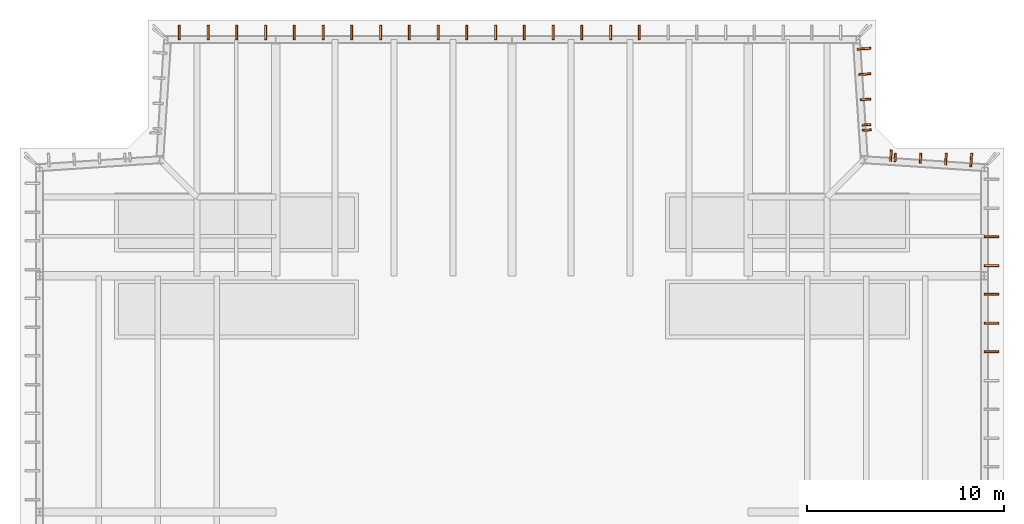
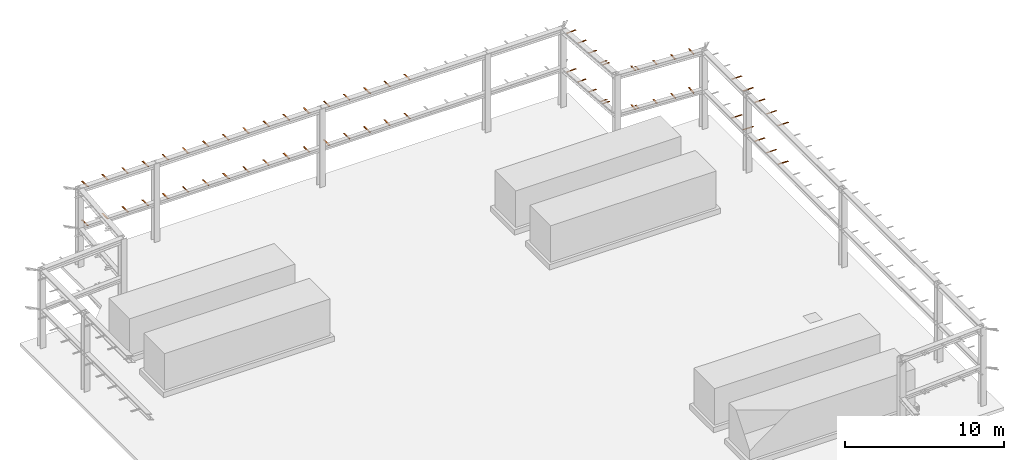
# One storey, part 7 of 8: 64 proxies.
"""IFC4 building model written with IfcOpenShell, lengths in metres."""

from ifc_helpers import new_model, si_unit, direction, frame, origin, origin_2d, place, context, subcontext, project, spatial, rectangle, extrude, material, material_profile, profile_set, type_object, element, save


model = new_model("IFC4")

# Units and contexts
model_context = context("Model", 3, precision=1e-05, world=origin(), true_north=direction((0.0, 1.0)))
body_context = subcontext(model_context, "Body", "Model", "MODEL_VIEW")
ifc_project = project(units=[si_unit("LENGTHUNIT", "METRE"), si_unit("AREAUNIT", "SQUARE_METRE"), si_unit("VOLUMEUNIT", "CUBIC_METRE"), si_unit("PLANEANGLEUNIT", "RADIAN"), si_unit("MASSUNIT", "GRAM", prefix="KILO")], contexts=[model_context])

# Site, building, storey
site_placement = place(None, origin())
site = spatial("IfcSite", under=ifc_project, at=site_placement, CompositionType="ELEMENT")
building_placement = place(site_placement, origin())
building = spatial("IfcBuilding", under=site, at=building_placement, Name="Fenwick Lantern Interchange", CompositionType="ELEMENT")
storey_placement = place(building_placement, frame((0.0, 0.0, 313.800048828125)))
storey = spatial("IfcBuildingStorey", under=building, at=storey_placement, Name="RF-A", CompositionType="ELEMENT", Elevation=313.800048828125)

# Proxies
ifc_material = material(Name="Steel ASTM A572 Grade 50", Category="steel")
ifc_material_profile = material_profile(ifc_material, rectangle(XDim=0.10009765625, YDim=0.011962890625, at=origin_2d()), Name="PL100X12")
ifc_profile_set = profile_set([ifc_material_profile], Name="Steel ASTM A572 Grade 50")
building_element_proxy_type = type_object("IfcBuildingElementProxyType", Name="LANTERN TIE BRACKET PL 100 X 12", PredefinedType="USERDEFINED", material=ifc_profile_set)
proxy_1_placement = place(storey_placement, frame((49.72509765625, 33.134521484375, 2.84619140625), z_axis=(-1.0, 0.0, 0.0), x_axis=(0.0, -1.0, 0.0)))
element("IfcBuildingElementProxy", 1, at=proxy_1_placement, inside=storey, type_object=building_element_proxy_type, Name="Lantern tie bracket", ObjectType="LANTERN TIE BRACKET", PredefinedType="USERDEFINED", context=body_context, shape_type="SweptSolid", body=[
    extrude(rectangle(XDim=0.10009765625, YDim=0.011962890625, at=origin_2d()), origin(), (0.0, 0.0, 1.0), 0.72021484375),
])
proxy_2_placement = place(storey_placement, frame((49.72509765625, 33.134521484375, 5.822265625), z_axis=(-1.0, 0.0, 0.0), x_axis=(0.0, -1.0, 0.0)))
element("IfcBuildingElementProxy", 2, at=proxy_2_placement, inside=storey, type_object=building_element_proxy_type, Name="Lantern tie bracket", ObjectType="LANTERN TIE BRACKET", PredefinedType="USERDEFINED", context=body_context, shape_type="SweptSolid", body=[
    extrude(rectangle(XDim=0.10009765625, YDim=0.011962890625, at=origin_2d()), origin(), (0.0, 0.0, 1.0), 0.719482421875),
])
proxy_3_placement = place(storey_placement, frame((49.72509765625, 34.59521484375, 2.84619140625), z_axis=(-1.0, 0.0, 0.0), x_axis=(0.0, -1.0, 0.0)))
element("IfcBuildingElementProxy", 3, at=proxy_3_placement, inside=storey, type_object=building_element_proxy_type, Name="Lantern tie bracket", ObjectType="LANTERN TIE BRACKET", PredefinedType="USERDEFINED", context=body_context, shape_type="SweptSolid", body=[
    extrude(rectangle(XDim=0.10009765625, YDim=0.011962890625, at=origin_2d()), origin(), (0.0, 0.0, 1.0), 0.72021484375),
])
proxy_4_placement = place(storey_placement, frame((49.72509765625, 34.59521484375, 5.822265625), z_axis=(-1.0, 0.0, 0.0), x_axis=(0.0, -1.0, 0.0)))
element("IfcBuildingElementProxy", 4, at=proxy_4_placement, inside=storey, type_object=building_element_proxy_type, Name="Lantern tie bracket", ObjectType="LANTERN TIE BRACKET", PredefinedType="USERDEFINED", context=body_context, shape_type="SweptSolid", body=[
    extrude(rectangle(XDim=0.10009765625, YDim=0.011962890625, at=origin_2d()), origin(), (0.0, 0.0, 1.0), 0.719482421875),
])
proxy_5_placement = place(storey_placement, frame((49.72509765625, 36.055908203125, 2.84619140625), z_axis=(-1.0, 0.0, 0.0), x_axis=(0.0, -1.0, 0.0)))
element("IfcBuildingElementProxy", 5, at=proxy_5_placement, inside=storey, type_object=building_element_proxy_type, Name="Lantern tie bracket", ObjectType="LANTERN TIE BRACKET", PredefinedType="USERDEFINED", context=body_context, shape_type="SweptSolid", body=[
    extrude(rectangle(XDim=0.10009765625, YDim=0.011962890625, at=origin_2d()), origin(), (0.0, 0.0, 1.0), 0.72021484375),
])
proxy_6_placement = place(storey_placement, frame((49.72509765625, 36.055908203125, 5.822265625), z_axis=(-1.0, 0.0, 0.0), x_axis=(0.0, -1.0, 0.0)))
element("IfcBuildingElementProxy", 6, at=proxy_6_placement, inside=storey, type_object=building_element_proxy_type, Name="Lantern tie bracket", ObjectType="LANTERN TIE BRACKET", PredefinedType="USERDEFINED", context=body_context, shape_type="SweptSolid", body=[
    extrude(rectangle(XDim=0.10009765625, YDim=0.011962890625, at=origin_2d()), origin(), (0.0, 0.0, 1.0), 0.719482421875),
])
proxy_7_placement = place(storey_placement, frame((49.72509765625, 37.516845703125, 2.84619140625), z_axis=(-1.0, 0.0, 0.0), x_axis=(0.0, -1.0, 0.0)))
element("IfcBuildingElementProxy", 7, at=proxy_7_placement, inside=storey, type_object=building_element_proxy_type, Name="Lantern tie bracket", ObjectType="LANTERN TIE BRACKET", PredefinedType="USERDEFINED", context=body_context, shape_type="SweptSolid", body=[
    extrude(rectangle(XDim=0.10009765625, YDim=0.011962890625, at=origin_2d()), origin(), (0.0, 0.0, 1.0), 0.72021484375),
])
proxy_8_placement = place(storey_placement, frame((49.72509765625, 37.516845703125, 5.822265625), z_axis=(-1.0, 0.0, 0.0), x_axis=(0.0, -1.0, 0.0)))
element("IfcBuildingElementProxy", 8, at=proxy_8_placement, inside=storey, type_object=building_element_proxy_type, Name="Lantern tie bracket", ObjectType="LANTERN TIE BRACKET", PredefinedType="USERDEFINED", context=body_context, shape_type="SweptSolid", body=[
    extrude(rectangle(XDim=0.10009765625, YDim=0.011962890625, at=origin_2d()), origin(), (0.0, 0.0, 1.0), 0.719482421875),
])
proxy_9_placement = place(storey_placement, frame((49.72509765625, 38.9775390625, 2.84619140625), z_axis=(-1.0, 0.0, 0.0), x_axis=(0.0, -1.0, 0.0)))
element("IfcBuildingElementProxy", 9, at=proxy_9_placement, inside=storey, type_object=building_element_proxy_type, Name="Lantern tie bracket", ObjectType="LANTERN TIE BRACKET", PredefinedType="USERDEFINED", context=body_context, shape_type="SweptSolid", body=[
    extrude(rectangle(XDim=0.10009765625, YDim=0.011962890625, at=origin_2d()), origin(), (0.0, 0.0, 1.0), 0.72021484375),
])
proxy_10_placement = place(storey_placement, frame((49.72509765625, 38.9775390625, 5.822265625), z_axis=(-1.0, 0.0, 0.0), x_axis=(0.0, -1.0, 0.0)))
element("IfcBuildingElementProxy", 10, at=proxy_10_placement, inside=storey, type_object=building_element_proxy_type, Name="Lantern tie bracket", ObjectType="LANTERN TIE BRACKET", PredefinedType="USERDEFINED", context=body_context, shape_type="SweptSolid", body=[
    extrude(rectangle(XDim=0.10009765625, YDim=0.011962890625, at=origin_2d()), origin(), (0.0, 0.0, 1.0), 0.719482421875),
])
proxy_11_placement = place(storey_placement, frame((48.358154296875, 43.225341796875, 2.84619140625), z_axis=(-0.065297799588, -0.997865821325, 0.0), x_axis=(0.997865821325, -0.065297799588, 0.0)))
element("IfcBuildingElementProxy", 11, at=proxy_11_placement, inside=storey, type_object=building_element_proxy_type, Name="Lantern tie bracket", ObjectType="LANTERN TIE BRACKET", PredefinedType="USERDEFINED", context=body_context, shape_type="SweptSolid", body=[
    extrude(rectangle(XDim=0.10009765625, YDim=0.011962890625, at=origin_2d()), origin(), (0.0, 0.0, 1.0), 0.6767578125),
])
proxy_12_placement = place(storey_placement, frame((48.358154296875, 43.225341796875, 5.822265625), z_axis=(-0.06534484668, -0.997862741569, 0.0), x_axis=(0.997862741569, -0.06534484668, 0.0)))
element("IfcBuildingElementProxy", 12, at=proxy_12_placement, inside=storey, type_object=building_element_proxy_type, Name="Lantern tie bracket", ObjectType="LANTERN TIE BRACKET", PredefinedType="USERDEFINED", context=body_context, shape_type="SweptSolid", body=[
    extrude(rectangle(XDim=0.10009765625, YDim=0.011962890625, at=origin_2d()), origin(), (0.0, 0.0, 1.0), 0.67626953125),
])
proxy_13_placement = place(storey_placement, frame((47.06787109375, 43.225341796875, 2.84619140625), z_axis=(-0.06553416022, -0.997850326374, 0.0), x_axis=(0.997850326374, -0.06553416022, 0.0)))
element("IfcBuildingElementProxy", 13, at=proxy_13_placement, inside=storey, type_object=building_element_proxy_type, Name="Lantern tie bracket", ObjectType="LANTERN TIE BRACKET", PredefinedType="USERDEFINED", context=body_context, shape_type="SweptSolid", body=[
    extrude(rectangle(XDim=0.10009765625, YDim=0.011962890625, at=origin_2d()), origin(), (0.0, 0.0, 1.0), 0.59228515625),
])
proxy_14_placement = place(storey_placement, frame((47.06787109375, 43.225341796875, 5.822265625), z_axis=(-0.065588110085, -0.997846781733, 0.0), x_axis=(0.997846781733, -0.065588110085, 0.0)))
element("IfcBuildingElementProxy", 14, at=proxy_14_placement, inside=storey, type_object=building_element_proxy_type, Name="Lantern tie bracket", ObjectType="LANTERN TIE BRACKET", PredefinedType="USERDEFINED", context=body_context, shape_type="SweptSolid", body=[
    extrude(rectangle(XDim=0.10009765625, YDim=0.011962890625, at=origin_2d()), origin(), (0.0, 0.0, 1.0), 0.591796875),
])
proxy_15_placement = place(storey_placement, frame((45.777587890625, 43.225341796875, 2.84619140625), z_axis=(-0.065849062877, -0.99782959513, 0.0), x_axis=(0.99782959513, -0.065849062877, 0.0)))
element("IfcBuildingElementProxy", 15, at=proxy_15_placement, inside=storey, type_object=building_element_proxy_type, Name="Lantern tie bracket", ObjectType="LANTERN TIE BRACKET", PredefinedType="USERDEFINED", context=body_context, shape_type="SweptSolid", body=[
    extrude(rectangle(XDim=0.10009765625, YDim=0.011962890625, at=origin_2d()), origin(), (0.0, 0.0, 1.0), 0.508056640625),
])
proxy_16_placement = place(storey_placement, frame((45.777587890625, 43.225341796875, 5.822265625), z_axis=(-0.065433242561, -0.99785694905, 0.0), x_axis=(0.99785694905, -0.065433242561, 0.0)))
element("IfcBuildingElementProxy", 16, at=proxy_16_placement, inside=storey, type_object=building_element_proxy_type, Name="Lantern tie bracket", ObjectType="LANTERN TIE BRACKET", PredefinedType="USERDEFINED", context=body_context, shape_type="SweptSolid", body=[
    extrude(rectangle(XDim=0.10009765625, YDim=0.011962890625, at=origin_2d()), origin(), (0.0, 0.0, 1.0), 0.50732421875),
])
proxy_17_placement = place(storey_placement, frame((44.487060546875, 43.225341796875, 2.84619140625), z_axis=(-0.065141532023, -0.997876034789, 0.0), x_axis=(0.997876034789, -0.065141532023, 0.0)))
element("IfcBuildingElementProxy", 17, at=proxy_17_placement, inside=storey, type_object=building_element_proxy_type, Name="Lantern tie bracket", ObjectType="LANTERN TIE BRACKET", PredefinedType="USERDEFINED", context=body_context, shape_type="SweptSolid", body=[
    extrude(rectangle(XDim=0.10009765625, YDim=0.011962890625, at=origin_2d()), origin(), (0.0, 0.0, 1.0), 0.423583984375),
])
proxy_18_placement = place(storey_placement, frame((44.487060546875, 43.225341796875, 5.822265625), z_axis=(-0.065216563407, -0.997871133893, 0.0), x_axis=(0.997871133893, -0.065216563407, 0.0)))
element("IfcBuildingElementProxy", 18, at=proxy_18_placement, inside=storey, type_object=building_element_proxy_type, Name="Lantern tie bracket", ObjectType="LANTERN TIE BRACKET", PredefinedType="USERDEFINED", context=body_context, shape_type="SweptSolid", body=[
    extrude(rectangle(XDim=0.10009765625, YDim=0.011962890625, at=origin_2d()), origin(), (0.0, 0.0, 1.0), 0.423095703125),
])
proxy_19_placement = place(storey_placement, frame((44.27734375, 43.39501953125, 2.84619140625), z_axis=(-0.06534378358, -0.997862811186, 0.0), x_axis=(0.997862811186, -0.06534378358, 0.0)))
element("IfcBuildingElementProxy", 19, at=proxy_19_placement, inside=storey, type_object=building_element_proxy_type, Name="Lantern tie bracket", ObjectType="LANTERN TIE BRACKET", PredefinedType="USERDEFINED", context=body_context, shape_type="SweptSolid", body=[
    extrude(rectangle(XDim=0.10009765625, YDim=0.011962890625, at=origin_2d()), origin(), (0.0, 0.0, 1.0), 0.5791015625),
])
proxy_20_placement = place(storey_placement, frame((44.27734375, 43.39501953125, 5.822265625), z_axis=(-0.065426352424, -0.997857400839, 0.0), x_axis=(0.997857400839, -0.065426352424, 0.0)))
element("IfcBuildingElementProxy", 20, at=proxy_20_placement, inside=storey, type_object=building_element_proxy_type, Name="Lantern tie bracket", ObjectType="LANTERN TIE BRACKET", PredefinedType="USERDEFINED", context=body_context, shape_type="SweptSolid", body=[
    extrude(rectangle(XDim=0.10009765625, YDim=0.011962890625, at=origin_2d()), origin(), (0.0, 0.0, 1.0), 0.578369140625),
])
proxy_21_placement = place(storey_placement, frame((43.253662109375, 44.4189453125, 2.84619140625), z_axis=(-0.9978522722, -0.065504525527, 0.0), x_axis=(0.065504525527, -0.9978522722, 0.0)))
element("IfcBuildingElementProxy", 21, at=proxy_21_placement, inside=storey, type_object=building_element_proxy_type, Name="Lantern tie bracket", ObjectType="LANTERN TIE BRACKET", PredefinedType="USERDEFINED", context=body_context, shape_type="SweptSolid", body=[
    extrude(rectangle(XDim=0.10009765625, YDim=0.011962890625, at=origin_2d()), origin(), (0.0, 0.0, 1.0), 0.447265625),
])
proxy_22_placement = place(storey_placement, frame((43.253662109375, 44.4189453125, 5.822265625), z_axis=(-0.997847580041, -0.065575963639, 0.0), x_axis=(0.065575963639, -0.997847580041, 0.0)))
element("IfcBuildingElementProxy", 22, at=proxy_22_placement, inside=storey, type_object=building_element_proxy_type, Name="Lantern tie bracket", ObjectType="LANTERN TIE BRACKET", PredefinedType="USERDEFINED", context=body_context, shape_type="SweptSolid", body=[
    extrude(rectangle(XDim=0.10009765625, YDim=0.011962890625, at=origin_2d()), origin(), (0.0, 0.0, 1.0), 0.44677734375),
])
proxy_23_placement = place(storey_placement, frame((43.225341796875, 44.68701171875, 2.84619140625), z_axis=(-0.997858743776, -0.065405867239, 0.0), x_axis=(0.065405867239, -0.997858743776, 0.0)))
element("IfcBuildingElementProxy", 23, at=proxy_23_placement, inside=storey, type_object=building_element_proxy_type, Name="Lantern tie bracket", ObjectType="LANTERN TIE BRACKET", PredefinedType="USERDEFINED", context=body_context, shape_type="SweptSolid", body=[
    extrude(rectangle(XDim=0.10009765625, YDim=0.011962890625, at=origin_2d()), origin(), (0.0, 0.0, 1.0), 0.436767578125),
])
proxy_24_placement = place(storey_placement, frame((43.225341796875, 44.68701171875, 5.822265625), z_axis=(-0.997888004232, -0.064957917223, 0.0), x_axis=(0.064957917223, -0.997888004232, 0.0)))
element("IfcBuildingElementProxy", 24, at=proxy_24_placement, inside=storey, type_object=building_element_proxy_type, Name="Lantern tie bracket", ObjectType="LANTERN TIE BRACKET", PredefinedType="USERDEFINED", context=body_context, shape_type="SweptSolid", body=[
    extrude(rectangle(XDim=0.10009765625, YDim=0.011962890625, at=origin_2d()), origin(), (0.0, 0.0, 1.0), 0.43603515625),
])
proxy_25_placement = place(storey_placement, frame((43.225341796875, 45.9775390625, 2.84619140625), z_axis=(-0.997846908478, -0.065586181778, 0.0), x_axis=(0.065586181778, -0.997846908478, 0.0)))
element("IfcBuildingElementProxy", 25, at=proxy_25_placement, inside=storey, type_object=building_element_proxy_type, Name="Lantern tie bracket", ObjectType="LANTERN TIE BRACKET", PredefinedType="USERDEFINED", context=body_context, shape_type="SweptSolid", body=[
    extrude(rectangle(XDim=0.10009765625, YDim=0.011962890625, at=origin_2d()), origin(), (0.0, 0.0, 1.0), 0.521240234375),
])
proxy_26_placement = place(storey_placement, frame((43.225341796875, 45.9775390625, 5.822265625), z_axis=(-0.997840850265, -0.065678288217, 0.0), x_axis=(0.065678288217, -0.997840850265, 0.0)))
element("IfcBuildingElementProxy", 26, at=proxy_26_placement, inside=storey, type_object=building_element_proxy_type, Name="Lantern tie bracket", ObjectType="LANTERN TIE BRACKET", PredefinedType="USERDEFINED", context=body_context, shape_type="SweptSolid", body=[
    extrude(rectangle(XDim=0.10009765625, YDim=0.011962890625, at=origin_2d()), origin(), (0.0, 0.0, 1.0), 0.5205078125),
])
proxy_27_placement = place(storey_placement, frame((43.225341796875, 47.267822265625, 2.84619140625), z_axis=(-0.997864709959, -0.065314781015, 0.0), x_axis=(0.065314781015, -0.997864709959, 0.0)))
element("IfcBuildingElementProxy", 27, at=proxy_27_placement, inside=storey, type_object=building_element_proxy_type, Name="Lantern tie bracket", ObjectType="LANTERN TIE BRACKET", PredefinedType="USERDEFINED", context=body_context, shape_type="SweptSolid", body=[
    extrude(rectangle(XDim=0.10009765625, YDim=0.011962890625, at=origin_2d()), origin(), (0.0, 0.0, 1.0), 0.60546875),
])
proxy_28_placement = place(storey_placement, frame((43.225341796875, 47.267822265625, 5.822265625), z_axis=(-0.997859540709, -0.065393707765, 0.0), x_axis=(0.065393707765, -0.997859540709, 0.0)))
element("IfcBuildingElementProxy", 28, at=proxy_28_placement, inside=storey, type_object=building_element_proxy_type, Name="Lantern tie bracket", ObjectType="LANTERN TIE BRACKET", PredefinedType="USERDEFINED", context=body_context, shape_type="SweptSolid", body=[
    extrude(rectangle(XDim=0.10009765625, YDim=0.011962890625, at=origin_2d()), origin(), (0.0, 0.0, 1.0), 0.604736328125),
])
proxy_29_placement = place(storey_placement, frame((43.225341796875, 48.55810546875, 2.84619140625), z_axis=(-0.997855054871, -0.065462122394, 0.0), x_axis=(0.065462122394, -0.997855054871, 0.0)))
element("IfcBuildingElementProxy", 29, at=proxy_29_placement, inside=storey, type_object=building_element_proxy_type, Name="Lantern tie bracket", ObjectType="LANTERN TIE BRACKET", PredefinedType="USERDEFINED", context=body_context, shape_type="SweptSolid", body=[
    extrude(rectangle(XDim=0.10009765625, YDim=0.011962890625, at=origin_2d()), origin(), (0.0, 0.0, 1.0), 0.68994140625),
])
proxy_30_placement = place(storey_placement, frame((43.225341796875, 48.55810546875, 5.822265625), z_axis=(-0.997873599774, -0.065178822278, 0.0), x_axis=(0.065178822278, -0.997873599774, 0.0)))
element("IfcBuildingElementProxy", 30, at=proxy_30_placement, inside=storey, type_object=building_element_proxy_type, Name="Lantern tie bracket", ObjectType="LANTERN TIE BRACKET", PredefinedType="USERDEFINED", context=body_context, shape_type="SweptSolid", body=[
    extrude(rectangle(XDim=0.10009765625, YDim=0.011962890625, at=origin_2d()), origin(), (0.0, 0.0, 1.0), 0.689208984375),
])
proxy_31_placement = place(storey_placement, frame((31.4736328125, 49.72509765625, 2.84619140625), z_axis=(0.0, -1.0, 0.0), x_axis=(1.0, 0.0, 0.0)))
element("IfcBuildingElementProxy", 31, at=proxy_31_placement, inside=storey, type_object=building_element_proxy_type, Name="Lantern tie bracket", ObjectType="LANTERN TIE BRACKET", PredefinedType="USERDEFINED", context=body_context, shape_type="SweptSolid", body=[
    extrude(rectangle(XDim=0.10009765625, YDim=0.011962890625, at=origin_2d()), origin(), (0.0, 0.0, 1.0), 0.72021484375),
])
proxy_32_placement = place(storey_placement, frame((31.4736328125, 49.72509765625, 5.822265625), z_axis=(0.0, -1.0, 0.0), x_axis=(1.0, 0.0, 0.0)))
element("IfcBuildingElementProxy", 32, at=proxy_32_placement, inside=storey, type_object=building_element_proxy_type, Name="Lantern tie bracket", ObjectType="LANTERN TIE BRACKET", PredefinedType="USERDEFINED", context=body_context, shape_type="SweptSolid", body=[
    extrude(rectangle(XDim=0.10009765625, YDim=0.011962890625, at=origin_2d()), origin(), (0.0, 0.0, 1.0), 0.719482421875),
])
proxy_33_placement = place(storey_placement, frame((30.0126953125, 49.72509765625, 2.84619140625), z_axis=(0.0, -1.0, 0.0), x_axis=(1.0, 0.0, 0.0)))
element("IfcBuildingElementProxy", 33, at=proxy_33_placement, inside=storey, type_object=building_element_proxy_type, Name="Lantern tie bracket", ObjectType="LANTERN TIE BRACKET", PredefinedType="USERDEFINED", context=body_context, shape_type="SweptSolid", body=[
    extrude(rectangle(XDim=0.10009765625, YDim=0.011962890625, at=origin_2d()), origin(), (0.0, 0.0, 1.0), 0.72021484375),
])
proxy_34_placement = place(storey_placement, frame((30.0126953125, 49.72509765625, 5.822265625), z_axis=(0.0, -1.0, 0.0), x_axis=(1.0, 0.0, 0.0)))
element("IfcBuildingElementProxy", 34, at=proxy_34_placement, inside=storey, type_object=building_element_proxy_type, Name="Lantern tie bracket", ObjectType="LANTERN TIE BRACKET", PredefinedType="USERDEFINED", context=body_context, shape_type="SweptSolid", body=[
    extrude(rectangle(XDim=0.10009765625, YDim=0.011962890625, at=origin_2d()), origin(), (0.0, 0.0, 1.0), 0.719482421875),
])
proxy_35_placement = place(storey_placement, frame((28.552001953125, 49.72509765625, 2.84619140625), z_axis=(0.0, -1.0, 0.0), x_axis=(1.0, 0.0, 0.0)))
element("IfcBuildingElementProxy", 35, at=proxy_35_placement, inside=storey, type_object=building_element_proxy_type, Name="Lantern tie bracket", ObjectType="LANTERN TIE BRACKET", PredefinedType="USERDEFINED", context=body_context, shape_type="SweptSolid", body=[
    extrude(rectangle(XDim=0.10009765625, YDim=0.011962890625, at=origin_2d()), origin(), (0.0, 0.0, 1.0), 0.72021484375),
])
proxy_36_placement = place(storey_placement, frame((28.552001953125, 49.72509765625, 5.822265625), z_axis=(0.0, -1.0, 0.0), x_axis=(1.0, 0.0, 0.0)))
element("IfcBuildingElementProxy", 36, at=proxy_36_placement, inside=storey, type_object=building_element_proxy_type, Name="Lantern tie bracket", ObjectType="LANTERN TIE BRACKET", PredefinedType="USERDEFINED", context=body_context, shape_type="SweptSolid", body=[
    extrude(rectangle(XDim=0.10009765625, YDim=0.011962890625, at=origin_2d()), origin(), (0.0, 0.0, 1.0), 0.719482421875),
])
proxy_37_placement = place(storey_placement, frame((27.09130859375, 49.72509765625, 2.84619140625), z_axis=(0.0, -1.0, 0.0), x_axis=(1.0, 0.0, 0.0)))
element("IfcBuildingElementProxy", 37, at=proxy_37_placement, inside=storey, type_object=building_element_proxy_type, Name="Lantern tie bracket", ObjectType="LANTERN TIE BRACKET", PredefinedType="USERDEFINED", context=body_context, shape_type="SweptSolid", body=[
    extrude(rectangle(XDim=0.10009765625, YDim=0.011962890625, at=origin_2d()), origin(), (0.0, 0.0, 1.0), 0.72021484375),
])
proxy_38_placement = place(storey_placement, frame((27.09130859375, 49.72509765625, 5.822265625), z_axis=(0.0, -1.0, 0.0), x_axis=(1.0, 0.0, 0.0)))
element("IfcBuildingElementProxy", 38, at=proxy_38_placement, inside=storey, type_object=building_element_proxy_type, Name="Lantern tie bracket", ObjectType="LANTERN TIE BRACKET", PredefinedType="USERDEFINED", context=body_context, shape_type="SweptSolid", body=[
    extrude(rectangle(XDim=0.10009765625, YDim=0.011962890625, at=origin_2d()), origin(), (0.0, 0.0, 1.0), 0.719482421875),
])
proxy_39_placement = place(storey_placement, frame((25.63037109375, 49.72509765625, 2.84619140625), z_axis=(0.0, -1.0, 0.0), x_axis=(1.0, 0.0, 0.0)))
element("IfcBuildingElementProxy", 39, at=proxy_39_placement, inside=storey, type_object=building_element_proxy_type, Name="Lantern tie bracket", ObjectType="LANTERN TIE BRACKET", PredefinedType="USERDEFINED", context=body_context, shape_type="SweptSolid", body=[
    extrude(rectangle(XDim=0.10009765625, YDim=0.011962890625, at=origin_2d()), origin(), (0.0, 0.0, 1.0), 0.72021484375),
])
proxy_40_placement = place(storey_placement, frame((25.63037109375, 49.72509765625, 5.822265625), z_axis=(0.0, -1.0, 0.0), x_axis=(1.0, 0.0, 0.0)))
element("IfcBuildingElementProxy", 40, at=proxy_40_placement, inside=storey, type_object=building_element_proxy_type, Name="Lantern tie bracket", ObjectType="LANTERN TIE BRACKET", PredefinedType="USERDEFINED", context=body_context, shape_type="SweptSolid", body=[
    extrude(rectangle(XDim=0.10009765625, YDim=0.011962890625, at=origin_2d()), origin(), (0.0, 0.0, 1.0), 0.719482421875),
])
proxy_41_placement = place(storey_placement, frame((24.169677734375, 49.72509765625, 2.84619140625), z_axis=(0.0, -1.0, 0.0), x_axis=(1.0, 0.0, 0.0)))
element("IfcBuildingElementProxy", 41, at=proxy_41_placement, inside=storey, type_object=building_element_proxy_type, Name="Lantern tie bracket", ObjectType="LANTERN TIE BRACKET", PredefinedType="USERDEFINED", context=body_context, shape_type="SweptSolid", body=[
    extrude(rectangle(XDim=0.10009765625, YDim=0.011962890625, at=origin_2d()), origin(), (0.0, 0.0, 1.0), 0.72021484375),
])
proxy_42_placement = place(storey_placement, frame((24.169677734375, 49.72509765625, 5.822265625), z_axis=(0.0, -1.0, 0.0), x_axis=(1.0, 0.0, 0.0)))
element("IfcBuildingElementProxy", 42, at=proxy_42_placement, inside=storey, type_object=building_element_proxy_type, Name="Lantern tie bracket", ObjectType="LANTERN TIE BRACKET", PredefinedType="USERDEFINED", context=body_context, shape_type="SweptSolid", body=[
    extrude(rectangle(XDim=0.10009765625, YDim=0.011962890625, at=origin_2d()), origin(), (0.0, 0.0, 1.0), 0.719482421875),
])
proxy_43_placement = place(storey_placement, frame((22.708740234375, 49.72509765625, 2.84619140625), z_axis=(0.0, -1.0, 0.0), x_axis=(1.0, 0.0, 0.0)))
element("IfcBuildingElementProxy", 43, at=proxy_43_placement, inside=storey, type_object=building_element_proxy_type, Name="Lantern tie bracket", ObjectType="LANTERN TIE BRACKET", PredefinedType="USERDEFINED", context=body_context, shape_type="SweptSolid", body=[
    extrude(rectangle(XDim=0.10009765625, YDim=0.011962890625, at=origin_2d()), origin(), (0.0, 0.0, 1.0), 0.72021484375),
])
proxy_44_placement = place(storey_placement, frame((22.708740234375, 49.72509765625, 5.822265625), z_axis=(0.0, -1.0, 0.0), x_axis=(1.0, 0.0, 0.0)))
element("IfcBuildingElementProxy", 44, at=proxy_44_placement, inside=storey, type_object=building_element_proxy_type, Name="Lantern tie bracket", ObjectType="LANTERN TIE BRACKET", PredefinedType="USERDEFINED", context=body_context, shape_type="SweptSolid", body=[
    extrude(rectangle(XDim=0.10009765625, YDim=0.011962890625, at=origin_2d()), origin(), (0.0, 0.0, 1.0), 0.719482421875),
])
proxy_45_placement = place(storey_placement, frame((21.248046875, 49.72509765625, 2.84619140625), z_axis=(0.0, -1.0, 0.0), x_axis=(1.0, 0.0, 0.0)))
element("IfcBuildingElementProxy", 45, at=proxy_45_placement, inside=storey, type_object=building_element_proxy_type, Name="Lantern tie bracket", ObjectType="LANTERN TIE BRACKET", PredefinedType="USERDEFINED", context=body_context, shape_type="SweptSolid", body=[
    extrude(rectangle(XDim=0.10009765625, YDim=0.011962890625, at=origin_2d()), origin(), (0.0, 0.0, 1.0), 0.72021484375),
])
proxy_46_placement = place(storey_placement, frame((21.248046875, 49.72509765625, 5.822265625), z_axis=(0.0, -1.0, 0.0), x_axis=(1.0, 0.0, 0.0)))
element("IfcBuildingElementProxy", 46, at=proxy_46_placement, inside=storey, type_object=building_element_proxy_type, Name="Lantern tie bracket", ObjectType="LANTERN TIE BRACKET", PredefinedType="USERDEFINED", context=body_context, shape_type="SweptSolid", body=[
    extrude(rectangle(XDim=0.10009765625, YDim=0.011962890625, at=origin_2d()), origin(), (0.0, 0.0, 1.0), 0.719482421875),
])
proxy_47_placement = place(storey_placement, frame((19.787109375, 49.72509765625, 2.84619140625), z_axis=(0.0, -1.0, 0.0), x_axis=(1.0, 0.0, 0.0)))
element("IfcBuildingElementProxy", 47, at=proxy_47_placement, inside=storey, type_object=building_element_proxy_type, Name="Lantern tie bracket", ObjectType="LANTERN TIE BRACKET", PredefinedType="USERDEFINED", context=body_context, shape_type="SweptSolid", body=[
    extrude(rectangle(XDim=0.10009765625, YDim=0.011962890625, at=origin_2d()), origin(), (0.0, 0.0, 1.0), 0.72021484375),
])
proxy_48_placement = place(storey_placement, frame((19.787109375, 49.72509765625, 5.822265625), z_axis=(0.0, -1.0, 0.0), x_axis=(1.0, 0.0, 0.0)))
element("IfcBuildingElementProxy", 48, at=proxy_48_placement, inside=storey, type_object=building_element_proxy_type, Name="Lantern tie bracket", ObjectType="LANTERN TIE BRACKET", PredefinedType="USERDEFINED", context=body_context, shape_type="SweptSolid", body=[
    extrude(rectangle(XDim=0.10009765625, YDim=0.011962890625, at=origin_2d()), origin(), (0.0, 0.0, 1.0), 0.719482421875),
])
proxy_49_placement = place(storey_placement, frame((18.326416015625, 49.72509765625, 2.84619140625), z_axis=(0.0, -1.0, 0.0), x_axis=(1.0, 0.0, 0.0)))
element("IfcBuildingElementProxy", 49, at=proxy_49_placement, inside=storey, type_object=building_element_proxy_type, Name="Lantern tie bracket", ObjectType="LANTERN TIE BRACKET", PredefinedType="USERDEFINED", context=body_context, shape_type="SweptSolid", body=[
    extrude(rectangle(XDim=0.10009765625, YDim=0.011962890625, at=origin_2d()), origin(), (0.0, 0.0, 1.0), 0.72021484375),
])
proxy_50_placement = place(storey_placement, frame((18.326416015625, 49.72509765625, 5.822265625), z_axis=(0.0, -1.0, 0.0), x_axis=(1.0, 0.0, 0.0)))
element("IfcBuildingElementProxy", 50, at=proxy_50_placement, inside=storey, type_object=building_element_proxy_type, Name="Lantern tie bracket", ObjectType="LANTERN TIE BRACKET", PredefinedType="USERDEFINED", context=body_context, shape_type="SweptSolid", body=[
    extrude(rectangle(XDim=0.10009765625, YDim=0.011962890625, at=origin_2d()), origin(), (0.0, 0.0, 1.0), 0.719482421875),
])
proxy_51_placement = place(storey_placement, frame((16.865478515625, 49.72509765625, 2.84619140625), z_axis=(0.0, -1.0, 0.0), x_axis=(1.0, 0.0, 0.0)))
element("IfcBuildingElementProxy", 51, at=proxy_51_placement, inside=storey, type_object=building_element_proxy_type, Name="Lantern tie bracket", ObjectType="LANTERN TIE BRACKET", PredefinedType="USERDEFINED", context=body_context, shape_type="SweptSolid", body=[
    extrude(rectangle(XDim=0.10009765625, YDim=0.011962890625, at=origin_2d()), origin(), (0.0, 0.0, 1.0), 0.72021484375),
])
proxy_52_placement = place(storey_placement, frame((16.865478515625, 49.72509765625, 5.822265625), z_axis=(0.0, -1.0, 0.0), x_axis=(1.0, 0.0, 0.0)))
element("IfcBuildingElementProxy", 52, at=proxy_52_placement, inside=storey, type_object=building_element_proxy_type, Name="Lantern tie bracket", ObjectType="LANTERN TIE BRACKET", PredefinedType="USERDEFINED", context=body_context, shape_type="SweptSolid", body=[
    extrude(rectangle(XDim=0.10009765625, YDim=0.011962890625, at=origin_2d()), origin(), (0.0, 0.0, 1.0), 0.719482421875),
])
proxy_53_placement = place(storey_placement, frame((15.40478515625, 49.72509765625, 2.84619140625), z_axis=(0.0, -1.0, 0.0), x_axis=(1.0, 0.0, 0.0)))
element("IfcBuildingElementProxy", 53, at=proxy_53_placement, inside=storey, type_object=building_element_proxy_type, Name="Lantern tie bracket", ObjectType="LANTERN TIE BRACKET", PredefinedType="USERDEFINED", context=body_context, shape_type="SweptSolid", body=[
    extrude(rectangle(XDim=0.10009765625, YDim=0.011962890625, at=origin_2d()), origin(), (0.0, 0.0, 1.0), 0.72021484375),
])
proxy_54_placement = place(storey_placement, frame((15.40478515625, 49.72509765625, 5.822265625), z_axis=(0.0, -1.0, 0.0), x_axis=(1.0, 0.0, 0.0)))
element("IfcBuildingElementProxy", 54, at=proxy_54_placement, inside=storey, type_object=building_element_proxy_type, Name="Lantern tie bracket", ObjectType="LANTERN TIE BRACKET", PredefinedType="USERDEFINED", context=body_context, shape_type="SweptSolid", body=[
    extrude(rectangle(XDim=0.10009765625, YDim=0.011962890625, at=origin_2d()), origin(), (0.0, 0.0, 1.0), 0.719482421875),
])
proxy_55_placement = place(storey_placement, frame((13.944091796875, 49.72509765625, 2.84619140625), z_axis=(0.0, -1.0, 0.0), x_axis=(1.0, 0.0, 0.0)))
element("IfcBuildingElementProxy", 55, at=proxy_55_placement, inside=storey, type_object=building_element_proxy_type, Name="Lantern tie bracket", ObjectType="LANTERN TIE BRACKET", PredefinedType="USERDEFINED", context=body_context, shape_type="SweptSolid", body=[
    extrude(rectangle(XDim=0.10009765625, YDim=0.011962890625, at=origin_2d()), origin(), (0.0, 0.0, 1.0), 0.72021484375),
])
proxy_56_placement = place(storey_placement, frame((13.944091796875, 49.72509765625, 5.822265625), z_axis=(0.0, -1.0, 0.0), x_axis=(1.0, 0.0, 0.0)))
element("IfcBuildingElementProxy", 56, at=proxy_56_placement, inside=storey, type_object=building_element_proxy_type, Name="Lantern tie bracket", ObjectType="LANTERN TIE BRACKET", PredefinedType="USERDEFINED", context=body_context, shape_type="SweptSolid", body=[
    extrude(rectangle(XDim=0.10009765625, YDim=0.011962890625, at=origin_2d()), origin(), (0.0, 0.0, 1.0), 0.719482421875),
])
proxy_57_placement = place(storey_placement, frame((12.483154296875, 49.72509765625, 2.84619140625), z_axis=(0.0, -1.0, 0.0), x_axis=(1.0, 0.0, 0.0)))
element("IfcBuildingElementProxy", 57, at=proxy_57_placement, inside=storey, type_object=building_element_proxy_type, Name="Lantern tie bracket", ObjectType="LANTERN TIE BRACKET", PredefinedType="USERDEFINED", context=body_context, shape_type="SweptSolid", body=[
    extrude(rectangle(XDim=0.10009765625, YDim=0.011962890625, at=origin_2d()), origin(), (0.0, 0.0, 1.0), 0.72021484375),
])
proxy_58_placement = place(storey_placement, frame((12.483154296875, 49.72509765625, 5.822265625), z_axis=(0.0, -1.0, 0.0), x_axis=(1.0, 0.0, 0.0)))
element("IfcBuildingElementProxy", 58, at=proxy_58_placement, inside=storey, type_object=building_element_proxy_type, Name="Lantern tie bracket", ObjectType="LANTERN TIE BRACKET", PredefinedType="USERDEFINED", context=body_context, shape_type="SweptSolid", body=[
    extrude(rectangle(XDim=0.10009765625, YDim=0.011962890625, at=origin_2d()), origin(), (0.0, 0.0, 1.0), 0.719482421875),
])
proxy_59_placement = place(storey_placement, frame((11.0224609375, 49.72509765625, 2.84619140625), z_axis=(0.0, -1.0, 0.0), x_axis=(1.0, 0.0, 0.0)))
element("IfcBuildingElementProxy", 59, at=proxy_59_placement, inside=storey, type_object=building_element_proxy_type, Name="Lantern tie bracket", ObjectType="LANTERN TIE BRACKET", PredefinedType="USERDEFINED", context=body_context, shape_type="SweptSolid", body=[
    extrude(rectangle(XDim=0.10009765625, YDim=0.011962890625, at=origin_2d()), origin(), (0.0, 0.0, 1.0), 0.72021484375),
])
proxy_60_placement = place(storey_placement, frame((11.0224609375, 49.72509765625, 5.822265625), z_axis=(0.0, -1.0, 0.0), x_axis=(1.0, 0.0, 0.0)))
element("IfcBuildingElementProxy", 60, at=proxy_60_placement, inside=storey, type_object=building_element_proxy_type, Name="Lantern tie bracket", ObjectType="LANTERN TIE BRACKET", PredefinedType="USERDEFINED", context=body_context, shape_type="SweptSolid", body=[
    extrude(rectangle(XDim=0.10009765625, YDim=0.011962890625, at=origin_2d()), origin(), (0.0, 0.0, 1.0), 0.719482421875),
])
proxy_61_placement = place(storey_placement, frame((9.5615234375, 49.72509765625, 2.84619140625), z_axis=(0.0, -1.0, 0.0), x_axis=(1.0, 0.0, 0.0)))
element("IfcBuildingElementProxy", 61, at=proxy_61_placement, inside=storey, type_object=building_element_proxy_type, Name="Lantern tie bracket", ObjectType="LANTERN TIE BRACKET", PredefinedType="USERDEFINED", context=body_context, shape_type="SweptSolid", body=[
    extrude(rectangle(XDim=0.10009765625, YDim=0.011962890625, at=origin_2d()), origin(), (0.0, 0.0, 1.0), 0.72021484375),
])
proxy_62_placement = place(storey_placement, frame((9.5615234375, 49.72509765625, 5.822265625), z_axis=(0.0, -1.0, 0.0), x_axis=(1.0, 0.0, 0.0)))
element("IfcBuildingElementProxy", 62, at=proxy_62_placement, inside=storey, type_object=building_element_proxy_type, Name="Lantern tie bracket", ObjectType="LANTERN TIE BRACKET", PredefinedType="USERDEFINED", context=body_context, shape_type="SweptSolid", body=[
    extrude(rectangle(XDim=0.10009765625, YDim=0.011962890625, at=origin_2d()), origin(), (0.0, 0.0, 1.0), 0.719482421875),
])
proxy_63_placement = place(storey_placement, frame((8.100830078125, 49.72509765625, 2.84619140625), z_axis=(0.0, -1.0, 0.0), x_axis=(1.0, 0.0, 0.0)))
element("IfcBuildingElementProxy", 63, at=proxy_63_placement, inside=storey, type_object=building_element_proxy_type, Name="Lantern tie bracket", ObjectType="LANTERN TIE BRACKET", PredefinedType="USERDEFINED", context=body_context, shape_type="SweptSolid", body=[
    extrude(rectangle(XDim=0.10009765625, YDim=0.011962890625, at=origin_2d()), origin(), (0.0, 0.0, 1.0), 0.72021484375),
])
proxy_64_placement = place(storey_placement, frame((8.100830078125, 49.72509765625, 5.822265625), z_axis=(0.0, -1.0, 0.0), x_axis=(1.0, 0.0, 0.0)))
element("IfcBuildingElementProxy", 64, at=proxy_64_placement, inside=storey, type_object=building_element_proxy_type, Name="Lantern tie bracket", ObjectType="LANTERN TIE BRACKET", PredefinedType="USERDEFINED", context=body_context, shape_type="SweptSolid", body=[
    extrude(rectangle(XDim=0.10009765625, YDim=0.011962890625, at=origin_2d()), origin(), (0.0, 0.0, 1.0), 0.719482421875),
])

save(model, "model.ifc")
